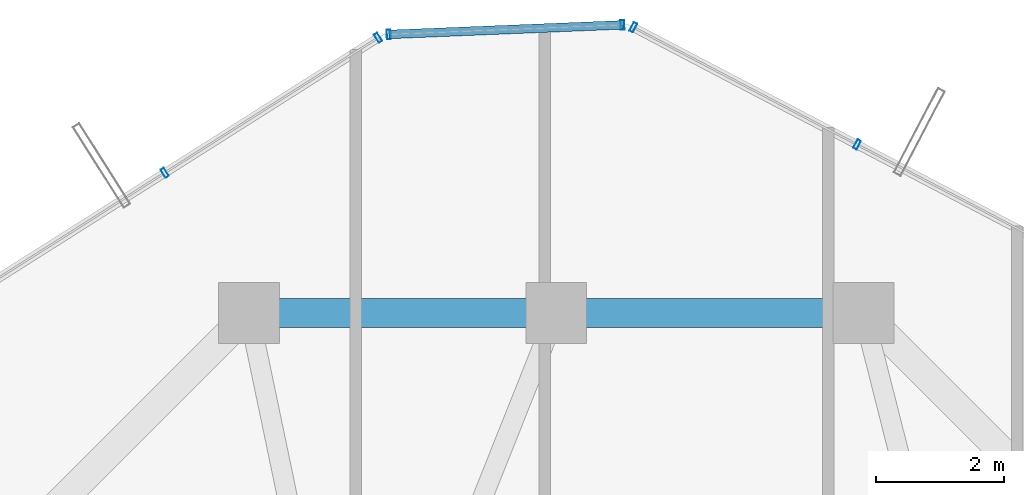
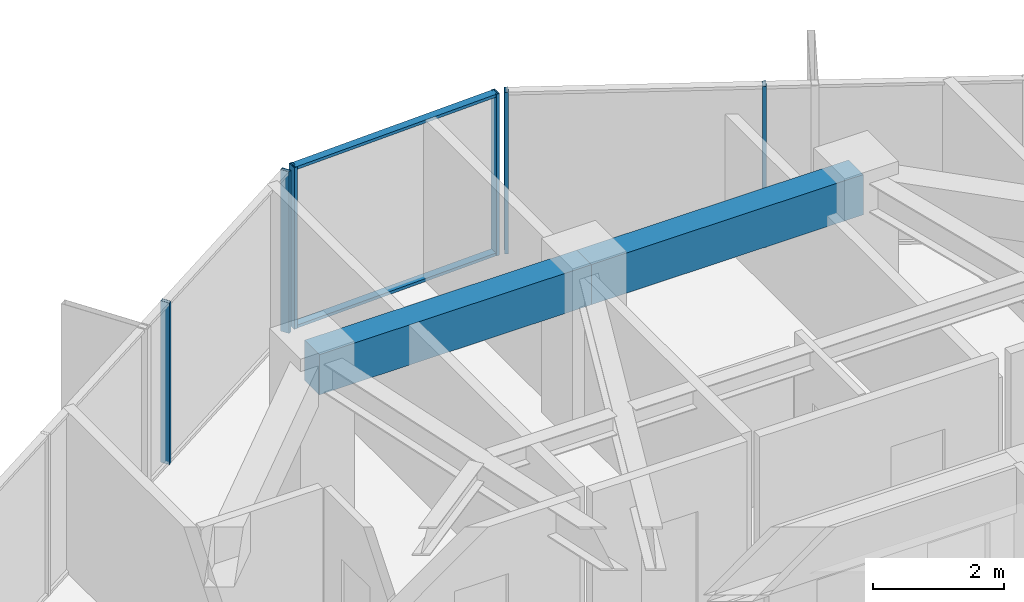
# One storey, part 24 of 33: 8 members, 2 beams, 3 elements without a shape of their own.
"""IFC4 building model written with IfcOpenShell, lengths in metres."""

from ifc_helpers import new_model, si_unit, direction, frame, origin, origin_2d, place, context, subcontext, project, spatial, rectangle, hollow_rectangle, extrude, source, transform, mapped, material, layer, layer_set, material_profile, profile_set, type_object, element, aggregate, save


model = new_model("IFC4")

# Units and contexts
model_context = context("Model", 3, precision=1e-05, world=origin(), true_north=direction((0.0, 1.0)))
body_context = subcontext(model_context, "Body", "Model", "MODEL_VIEW")
ifc_project = project(units=[si_unit("LENGTHUNIT", "METRE"), si_unit("AREAUNIT", "SQUARE_METRE"), si_unit("VOLUMEUNIT", "CUBIC_METRE"), si_unit("PLANEANGLEUNIT", "RADIAN"), si_unit("MASSUNIT", "GRAM", prefix="KILO")], contexts=[model_context])

# Site, building, storey
site_placement = place(None, origin())
site = spatial("IfcSite", under=ifc_project, at=site_placement, CompositionType="ELEMENT")
building_placement = place(site_placement, origin())
building = spatial("IfcBuilding", under=site, at=building_placement, Name="Veraguas Prism Commons", CompositionType="ELEMENT")
storey_placement = place(building_placement, frame((0.0, 0.0, 198.35009765625)))
storey = spatial("IfcBuildingStorey", under=building, at=storey_placement, Name="L56", CompositionType="ELEMENT", Elevation=198.35009765625)

# Beams
ifc_material_1 = material(Name="Concrete C50/60", Category="concrete")
ifc_material_profile_1 = material_profile(ifc_material_1, rectangle(XDim=0.449951171875, YDim=0.75, at=origin_2d()), Name="RC450X750")
ifc_profile_set_1 = profile_set([ifc_material_profile_1], Name="Concrete C50/60")
beam_type = type_object("IfcBeamType", Name="Perimeter Spandrel Upper RC 450x750", PredefinedType="SPANDREL", material=ifc_profile_set_1)
for number, where, z_axis, x_axis, name in (
    (1, (28.800048828125, 38.89990234375, 2.639892578125), (-1.0, 0.0, 0.0), (0.0, -1.0, 0.0), "Perimeter Spandrel Beam L56-SP04"),
    (2, (24.0, 38.89990234375, 2.639892578125), (-1.0, 0.0, 0.0), (0.0, -1.0, 0.0), "Perimeter Spandrel Beam L56-SP05"),
):
    element("IfcBeam", number, at=place(storey_placement, frame(where, z_axis=z_axis, x_axis=x_axis)), inside=storey, type_object=beam_type, Name=name, PredefinedType="SPANDREL", context=body_context, shape_type="SweptSolid", body=[
        extrude(rectangle(XDim=0.449951171875, YDim=0.75, at=origin_2d()), origin(), (0.0, 0.0, 1.0), 4.800048828125),
    ])

# Curtain wall, members
ifc_material_2 = material(Name="Anodised aluminium EN AW-6063 T6", Category="aluminium")
ifc_layer = layer(ifc_material_2, 0.14990234375, Name="Unitised Flush Curtain Wall Zone 3", Category="aluminium")
ifc_layer_set = layer_set([ifc_layer], Name="Anodised aluminium EN AW-6063 T6")
curtain_wall_type = type_object("IfcCurtainWallType", Name="Unitised Flush Curtain Wall Zone 3", PredefinedType="NOTDEFINED", material=ifc_layer_set)
curtain_wall_1_placement = place(storey_placement, origin())
curtain_wall_1 = element("IfcCurtainWall", 3, at=curtain_wall_1_placement, inside=storey, type_object=curtain_wall_type, Name="Tower Facade Curtain Wall L56-F1", PredefinedType="NOTDEFINED")
ifc_material_profile_2 = material_profile(ifc_material_2, hollow_rectangle(XDim=0.06005859375, YDim=0.14990234375, WallThickness=0.0029296875, at=origin_2d()), Name="AL60X150X3")
ifc_profile_set_2 = profile_set([ifc_material_profile_2], Name="Anodised aluminium EN AW-6063 T6")
member_type_1 = type_object("IfcMemberType", Name="Curtain Wall Mullion Upper AL 60x150x3", PredefinedType="MULLION", material=ifc_profile_set_2)
shared_shape_1 = source(origin(), body_context, "Body", "SweptSolid", [
    extrude(hollow_rectangle(XDim=0.06005859375, YDim=0.14990234375, WallThickness=0.0029296875, at=origin_2d()), origin(), (0.0, 0.0, 1.0), 3.014892578125),
])
member_1_placement = place(storey_placement, frame((28.7001953125, 41.53173828125, 0.0), z_axis=(0.0, 0.0, 1.0), x_axis=(-0.885721982014, 0.464216081773, 0.0)))
member_1 = element("IfcMember", 4, at=member_1_placement, type_object=member_type_1, Name="CW-Z3 Mullion 4", PredefinedType="MULLION", context=body_context, shape_type="MappedRepresentation", body=[
    mapped(shared_shape_1, transform((0.0, 0.0, 0.0), scale=1.0)),
])
member_2_placement = place(storey_placement, frame((25.20556640625, 43.363525390625, 0.0), z_axis=(0.0, 0.0, 1.0), x_axis=(-0.885721982014, 0.464216081773, 0.0)))
member_2 = element("IfcMember", 5, at=member_2_placement, type_object=member_type_1, Name="CW-Z3 Mullion 5", PredefinedType="MULLION", context=body_context, shape_type="MappedRepresentation", body=[
    mapped(shared_shape_1, transform((0.0, 0.0, 0.0), scale=1.0)),
])
aggregate(curtain_wall_1, [member_1, member_2])

curtain_wall_2_placement = place(storey_placement, origin())
curtain_wall_2 = element("IfcCurtainWall", 6, at=curtain_wall_2_placement, inside=storey, type_object=curtain_wall_type, Name="Tower Facade Curtain Wall L56-F2", PredefinedType="NOTDEFINED")
member_3_placement = place(storey_placement, frame((21.218505859375, 43.200439453125, 0.0), z_axis=(0.0, 0.0, 1.0), x_axis=(-0.844886711646, -0.534945272419, 0.0)))
member_3 = element("IfcMember", 7, at=member_3_placement, type_object=member_type_1, Name="CW-Z3 Mullion 1", PredefinedType="MULLION", context=body_context, shape_type="MappedRepresentation", body=[
    mapped(shared_shape_1, transform((0.0, 0.0, 0.0), scale=1.0)),
])
member_4_placement = place(storey_placement, frame((17.885009765625, 41.08984375, 0.0), z_axis=(0.0, 0.0, 1.0), x_axis=(-0.844886711646, -0.534945272419, 0.0)))
member_4 = element("IfcMember", 8, at=member_4_placement, type_object=member_type_1, Name="CW-Z3 Mullion 2", PredefinedType="MULLION", context=body_context, shape_type="MappedRepresentation", body=[
    mapped(shared_shape_1, transform((0.0, 0.0, 0.0), scale=1.0)),
])
aggregate(curtain_wall_2, [member_3, member_4])

curtain_wall_3_placement = place(storey_placement, origin())
curtain_wall_3 = element("IfcCurtainWall", 9, at=curtain_wall_3_placement, inside=storey, type_object=curtain_wall_type, Name="Chamfer Curtain Wall L56-C2", PredefinedType="NOTDEFINED")
member_5_placement = place(storey_placement, frame((25.035888671875, 43.401611328125, 0.0), z_axis=(0.0, 0.0, 1.0), x_axis=(-0.999166775565, -0.040813657109, 0.0)))
member_5 = element("IfcMember", 10, at=member_5_placement, type_object=member_type_1, Name="CW-Z3 Mullion 1", PredefinedType="MULLION", context=body_context, shape_type="MappedRepresentation", body=[
    mapped(shared_shape_1, transform((0.0, 0.0, 0.0), scale=1.0)),
])
member_6_placement = place(storey_placement, frame((21.384521484375, 43.25244140625, 0.0), z_axis=(0.0, 0.0, 1.0), x_axis=(-0.999166775565, -0.040813657109, 0.0)))
member_6 = element("IfcMember", 11, at=member_6_placement, type_object=member_type_1, Name="CW-Z3 Mullion 2", PredefinedType="MULLION", context=body_context, shape_type="MappedRepresentation", body=[
    mapped(shared_shape_1, transform((0.0, 0.0, 0.0), scale=1.0)),
])
ifc_material_profile_3 = material_profile(ifc_material_2, hollow_rectangle(XDim=0.054931640625, YDim=0.135009765625, WallThickness=0.0029296875, at=origin_2d()), Name="AL55X135X3")
ifc_profile_set_3 = profile_set([ifc_material_profile_3], Name="Anodised aluminium EN AW-6063 T6")
member_type_2 = type_object("IfcMemberType", Name="Curtain Wall Transom Standard AL 55x135x3", PredefinedType="USERDEFINED", material=ifc_profile_set_3)
shared_shape_2 = source(origin(), body_context, "Body", "SweptSolid", [
    extrude(hollow_rectangle(XDim=0.054931640625, YDim=0.135009765625, WallThickness=0.0029296875, at=origin_2d()), origin(), (0.0, 0.0, 1.0), 3.654296875),
])
member_7_placement = place(storey_placement, frame((25.035888671875, 43.401611328125, 0.02734375), z_axis=(-0.999166552391, -0.04081912032, 0.0), x_axis=(0.0, 0.0, 1.0)))
member_7 = element("IfcMember", 12, at=member_7_placement, type_object=member_type_2, Name="CW-Z3 Transom 1", ObjectType="TRANSOM", PredefinedType="USERDEFINED", context=body_context, shape_type="MappedRepresentation", body=[
    mapped(shared_shape_2, transform((0.0, 0.0, 0.0), scale=1.0)),
])
member_8_placement = place(storey_placement, frame((25.035888671875, 43.401611328125, 2.9873046875), z_axis=(-0.999166552391, -0.04081912032, 0.0), x_axis=(0.0, 0.0, 1.0)))
member_8 = element("IfcMember", 13, at=member_8_placement, type_object=member_type_2, Name="CW-Z3 Transom 2", ObjectType="TRANSOM", PredefinedType="USERDEFINED", context=body_context, shape_type="MappedRepresentation", body=[
    mapped(shared_shape_2, transform((0.0, 0.0, 0.0), scale=1.0)),
])
aggregate(curtain_wall_3, [member_5, member_6, member_7, member_8])

save(model, "model.ifc")
